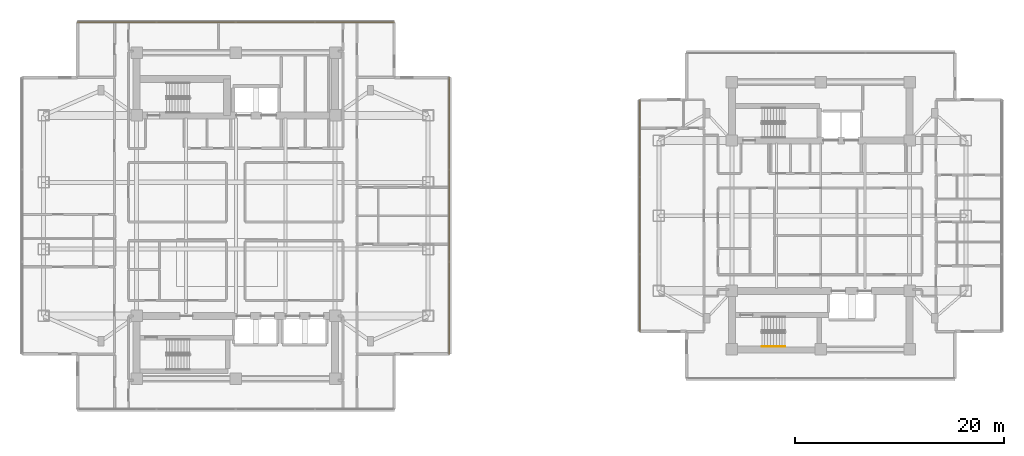
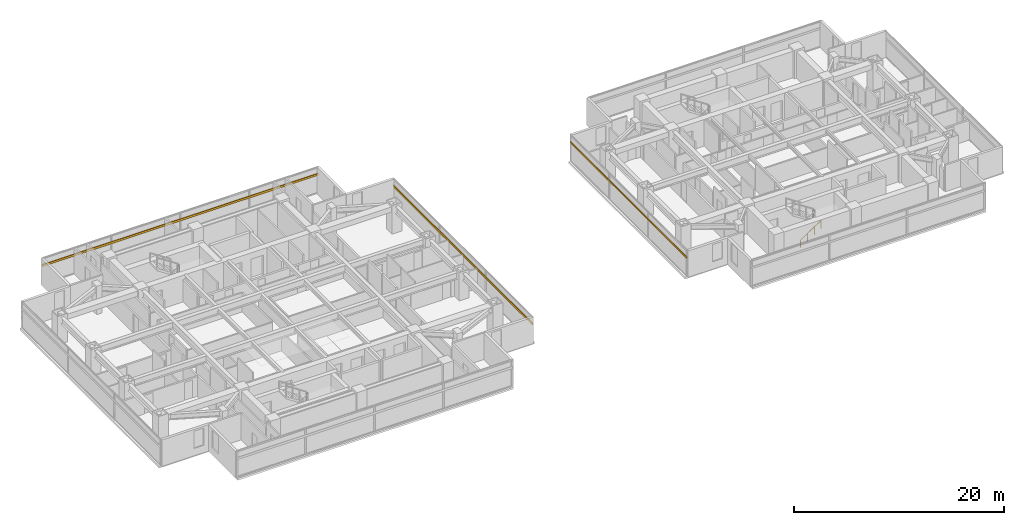
# One storey, part 24 of 27: 3 shading devices, 1 railing.
"""IFC4 building model written with IfcOpenShell, lengths in metres."""

import ifcopenshell
import ifcopenshell.guid

model = None  # the IFC model being written
_history = None  # IfcOwnerHistory: only IFC2X3 demands one
_inside = {}  # id of a spatial element -> (the spatial element, [elements in it])
_under = {}  # id of a project, library or spatial element -> (it, [spatial elements below it])
_declared = {}  # id of a project -> (the project, [libraries it declares])
_typed = {}  # id of a type object -> (the type object, [elements of that type])
_made_of = {}  # id of a material, layer set ... -> (it, [elements and type objects made of it])


def new_model(schema):
    """Start an empty IFC model of exactly this schema.

    Asked for "IFC4X3", IfcOpenShell would pick the latest addendum, in which some entities
    have other attributes; the version numbers below select the first issue.
    IFC2X3 requires an IfcOwnerHistory on every rooted entity: one is made here for all.
    """
    global model, _history
    if schema == "IFC4X3":
        model = ifcopenshell.file(schema_version=(4, 3, 0, 0))
    else:
        model = ifcopenshell.file(schema=schema)
    _inside.clear()
    _under.clear()
    _declared.clear()
    _typed.clear()
    _made_of.clear()
    _history = None
    if model.schema == "IFC2X3":
        org = make("IfcOrganization", Name="unknown")
        user = make(
            "IfcPersonAndOrganization",
            ThePerson=make("IfcPerson", FamilyName="unknown"),
            TheOrganization=org,
        )
        app = make(
            "IfcApplication",
            ApplicationDeveloper=org,
            Version="unknown",
            ApplicationFullName="unknown",
            ApplicationIdentifier="unknown",
        )
        _history = make(
            "IfcOwnerHistory",
            OwningUser=user,
            OwningApplication=app,
            ChangeAction="ADDED",
            CreationDate=0,
        )
    return model


def make(cls, **values):
    """One entity of the class cls with the attributes given. An attribute that is None is left unset."""
    return model.create_entity(
        cls, **{name: value for name, value in values.items() if value is not None}
    )


def rooted(cls, **values):
    """An entity with a GlobalId (a new one), such as an element, a storey or a relation."""
    return make(cls, GlobalId=ifcopenshell.guid.new(), OwnerHistory=_history, **values)


def si_unit(unit_type, name, prefix=None):
    """IfcSIUnit, for example si_unit("LENGTHUNIT", "METRE", prefix="MILLI")."""
    return make("IfcSIUnit", UnitType=unit_type, Prefix=prefix, Name=name)


def assignment(units):
    """IfcUnitAssignment: the units of a project."""
    return None if units is None else make("IfcUnitAssignment", Units=units)


def point(xyz):
    """IfcCartesianPoint."""
    return None if xyz is None else make("IfcCartesianPoint", Coordinates=xyz)


def direction(xyz):
    """IfcDirection."""
    return None if xyz is None else make("IfcDirection", DirectionRatios=xyz)


def frame(location, z_axis=None, x_axis=None):
    """IfcAxis2Placement3D, a coordinate frame: its origin and axes. An axis left out is left unset."""
    return make(
        "IfcAxis2Placement3D",
        Location=point(location),
        Axis=direction(z_axis),
        RefDirection=direction(x_axis),
    )


def frame_2d(location, x_axis=None):
    """IfcAxis2Placement2D, a coordinate frame in the plane: its origin and x axis."""
    return make(
        "IfcAxis2Placement2D", Location=point(location), RefDirection=direction(x_axis)
    )


def origin():
    """The frame at (0, 0, 0) with its axes left unset."""
    return frame((0.0, 0.0, 0.0))


def origin_2d():
    """The frame at (0, 0) in the plane with its x axis left unset."""
    return frame_2d((0.0, 0.0))


def place(relative_to, where):
    """IfcLocalPlacement: puts the frame where relative to a parent placement (None: the world)."""
    return make(
        "IfcLocalPlacement", PlacementRelTo=relative_to, RelativePlacement=where
    )


def context(
    kind, dimensions, precision=None, world=None, true_north=None, identifier=None
):
    """IfcGeometricRepresentationContext, for example the 3D "Model" context."""
    return make(
        "IfcGeometricRepresentationContext",
        ContextIdentifier=identifier,
        ContextType=kind,
        CoordinateSpaceDimension=dimensions,
        Precision=precision,
        WorldCoordinateSystem=world,
        TrueNorth=true_north,
    )


def subcontext(parent, identifier, kind, view, scale=None):
    """IfcGeometricRepresentationSubContext, for example "Body" below "Model"."""
    return make(
        "IfcGeometricRepresentationSubContext",
        ContextIdentifier=identifier,
        ContextType=kind,
        ParentContext=parent,
        TargetScale=scale,
        TargetView=view,
    )


def project(units=None, contexts=None):
    """IfcProject with its units and contexts."""
    return rooted(
        "IfcProject",
        Name="project",
        RepresentationContexts=contexts,
        UnitsInContext=assignment(units),
    )


def spatial(cls, under=None, at=None, **own):
    """A site, building, storey or space (cls), placed at a placement, below another one or the project."""
    s = rooted(cls, ObjectPlacement=at, **own)
    if under is not None:
        _under.setdefault(under.id(), (under, []))[1].append(s)
    return s


def profile(cls, at=None, kind="AREA", **sizes):
    """A parametric profile (cls). Its sizes go by their IFC names, for example OverallWidth=200.0."""
    return make(cls, ProfileType=kind, Position=at, **sizes)


def rectangle(**sizes):
    """IfcRectangleProfileDef."""
    return profile("IfcRectangleProfileDef", **sizes)


def circle(**sizes):
    """IfcCircleProfileDef."""
    return profile("IfcCircleProfileDef", **sizes)


def extrude(swept, where, along, depth):
    """IfcExtrudedAreaSolid: the profile swept, set in the frame where, extruded along a direction by depth."""
    return make(
        "IfcExtrudedAreaSolid",
        SweptArea=swept,
        Position=where,
        ExtrudedDirection=direction(along),
        Depth=depth,
    )


def shape(context_of_items, identifier, shape_type, items):
    """IfcShapeRepresentation: the items that make up one representation, for example the "Body"."""
    return make(
        "IfcShapeRepresentation",
        ContextOfItems=context_of_items,
        RepresentationIdentifier=identifier,
        RepresentationType=shape_type,
        Items=items,
    )


def material(Name=None, Category=None):
    """IfcMaterial."""
    return make("IfcMaterial", Name=Name, Category=Category)


def material_profile(
    of_material, cross_section, Name=None, Category=None, Priority=None
):
    """IfcMaterialProfile: a cross section and its material."""
    return make(
        "IfcMaterialProfile",
        Name=Name,
        Material=of_material,
        Profile=cross_section,
        Priority=Priority,
        Category=Category,
    )


def profile_set(profiles, Name=None, composite=None):
    """IfcMaterialProfileSet."""
    return make(
        "IfcMaterialProfileSet",
        Name=Name,
        MaterialProfiles=profiles,
        CompositeProfile=composite,
    )


def made_of(thing, what):
    """Note that an element or type object is made of a material, layer set ...; save() writes the relation."""
    if what is not None:
        _made_of.setdefault(what.id(), (what, []))[1].append(thing)
    return thing


def type_object(cls, material=None, **own):
    """A type object (cls), such as IfcWallType, which elements share."""
    return made_of(rooted(cls, **own), material)


def element(
    cls,
    number,
    at=None,
    inside=None,
    cuts=None,
    type_object=None,
    material=None,
    context=None,
    identifier="Body",
    shape_type=None,
    held_by="IfcProductDefinitionShape",
    body=None,
    shapes=None,
    **own,
):
    """One element of the class cls, such as IfcWall. Its Tag is "e" and its number.

    at: its placement. inside: the storey or other place that contains it. cuts: it is an
    opening in that element (IfcRelVoidsElement). A single representation is given by context,
    identifier, shape_type and body (its items); several are given by shapes. held_by: the class
    of the entity that holds the representations. save() writes the other relations.
    """
    e = rooted(cls, Tag="e%d" % number, ObjectPlacement=at, **own)
    if body is not None:
        shapes = [shape(context, identifier, shape_type, body)]
    if shapes is not None:
        e.Representation = make(held_by, Representations=shapes)
    if inside is not None:
        _inside.setdefault(inside.id(), (inside, []))[1].append(e)
    if cuts is not None:
        rooted(
            "IfcRelVoidsElement", RelatingBuildingElement=cuts, RelatedOpeningElement=e
        )
    if type_object is not None:
        _typed.setdefault(type_object.id(), (type_object, []))[1].append(e)
    return made_of(e, material)


def aggregate(whole, parts):
    """IfcRelAggregates: a whole, such as a stair, and the parts it consists of."""
    return rooted("IfcRelAggregates", RelatingObject=whole, RelatedObjects=parts)


def save(model, path):
    """Write the relations noted so far, then the file.

    IfcRelAggregates (storeys below a building ...), IfcRelContainedInSpatialStructure (elements
    in a storey), IfcRelDefinesByType, IfcRelAssociatesMaterial and IfcRelDeclares: one each for
    every whole, place, type object, material and project.
    """
    for whole, parts in _under.values():
        aggregate(whole, parts)
    for where, things in _inside.values():
        rooted(
            "IfcRelContainedInSpatialStructure",
            RelatedElements=things,
            RelatingStructure=where,
        )
    for kind, things in _typed.values():
        rooted("IfcRelDefinesByType", RelatedObjects=things, RelatingType=kind)
    for what, things in _made_of.values():
        rooted("IfcRelAssociatesMaterial", RelatedObjects=things, RelatingMaterial=what)
    for by, libraries in _declared.values():
        rooted("IfcRelDeclares", RelatingContext=by, RelatedDefinitions=libraries)
    model.write(path)


model = new_model("IFC4")

# Units and contexts
model_context = context("Model", 3, precision=1e-05, world=origin(), true_north=direction((0.0, 1.0)))
body_context = subcontext(model_context, "Body", "Model", "MODEL_VIEW")
ifc_project = project(units=[si_unit("LENGTHUNIT", "METRE"), si_unit("AREAUNIT", "SQUARE_METRE"), si_unit("VOLUMEUNIT", "CUBIC_METRE"), si_unit("PLANEANGLEUNIT", "RADIAN"), si_unit("MASSUNIT", "GRAM", prefix="KILO")], contexts=[model_context])

# Site, building, storey
site_placement = place(None, origin())
site = spatial("IfcSite", under=ifc_project, at=site_placement, CompositionType="ELEMENT")
building_placement = place(site_placement, origin())
building = spatial("IfcBuilding", under=site, at=building_placement, Name="Mirazonda Arch Towers", CompositionType="ELEMENT")
storey_placement = place(building_placement, frame((0.0, 0.0, 124.699951171875)))
storey = spatial("IfcBuildingStorey", under=building, at=storey_placement, Name="L35", CompositionType="ELEMENT", Elevation=124.699951171875)

# Shading devices
ifc_material_1 = material(Name="Kiln-Fired Architectural Terracotta", Category="masonry")
ifc_material_profile_1 = material_profile(ifc_material_1, rectangle(XDim=0.1201171875, YDim=0.239990234375, at=origin_2d()), Name="TERRA-BAG-120x240")
ifc_profile_set_1 = profile_set([ifc_material_profile_1], Name="Kiln-Fired Architectural Terracotta")
shading_device_type_1 = type_object("IfcShadingDeviceType", Name="BAGUETTE-1", PredefinedType="USERDEFINED", material=ifc_profile_set_1)
shading_device_1_placement = place(storey_placement, frame((40.93994140625, 14.75390625, 2.203369140625), z_axis=(0.0, 1.0, 0.0), x_axis=(-1.0, 0.0, 0.0)))
element("IfcShadingDevice", 1, at=shading_device_1_placement, inside=storey, type_object=shading_device_type_1, Name="L35 Glazed Terracotta Sun-Screen Baguette CW-L35-T1-E", ObjectType="BAGUETTE", PredefinedType="USERDEFINED", context=body_context, shape_type="SweptSolid", body=[
    extrude(rectangle(XDim=0.1201171875, YDim=0.239990234375, at=origin_2d()), origin(), (0.0, 0.0, 1.0), 26.4921875),
])
shading_device_2_placement = place(storey_placement, frame((5.330078125, 46.51611328125, 2.203369140625), z_axis=(1.0, 0.0, 0.0), x_axis=(0.0, 1.0, 0.0)))
element("IfcShadingDevice", 2, at=shading_device_2_placement, inside=storey, type_object=shading_device_type_1, Name="L35 Glazed Terracotta Sun-Screen Baguette CW-L35-T1-N", ObjectType="BAGUETTE", PredefinedType="USERDEFINED", context=body_context, shape_type="SweptSolid", body=[
    extrude(rectangle(XDim=0.1201171875, YDim=0.239990234375, at=origin_2d()), origin(), (0.0, 0.0, 1.0), 30.33984375),
])
ifc_material_profile_2 = material_profile(ifc_material_1, rectangle(XDim=0.10009765625, YDim=0.199951171875, at=origin_2d()), Name="TERRA-BAG-100x200")
ifc_profile_set_2 = profile_set([ifc_material_profile_2], Name="Kiln-Fired Architectural Terracotta")
shading_device_type_2 = type_object("IfcShadingDeviceType", Name="BAGUETTE-2", PredefinedType="USERDEFINED", material=ifc_profile_set_2)
shading_device_3_placement = place(storey_placement, frame((59.178955078125, 39.09912109375, 2.203369140625), z_axis=(0.0, -1.0, 0.0), x_axis=(1.0, 0.0, 0.0)))
element("IfcShadingDevice", 3, at=shading_device_3_placement, inside=storey, type_object=shading_device_type_2, Name="L35 Glazed Terracotta Sun-Screen Baguette CW-L35-T2-W", ObjectType="BAGUETTE", PredefinedType="USERDEFINED", context=body_context, shape_type="SweptSolid", body=[
    extrude(rectangle(XDim=0.10009765625, YDim=0.199951171875, at=origin_2d()), origin(), (0.0, 0.0, 1.0), 22.1982421875),
])

# Railing
ifc_material_2 = material(Name="Architectural Brushed Steel S355", Category="steel")
railing_type = type_object("IfcRailingType", Name="HANDRAIL-915", PredefinedType="HANDRAIL", material=ifc_material_2)
railing_placement = place(storey_placement, frame((70.85009765625, 15.469970703125, 0.183349609375)))
element("IfcRailing", 4, at=railing_placement, inside=storey, type_object=railing_type, Name="L35 ST-T2S stair handrail 1", PredefinedType="HANDRAIL", context=body_context, shape_type="SweptSolid", body=[
    extrude(circle(Radius=0.02392578125, at=origin_2d()), frame((0.0, 0.0, 0.8759765625), z_axis=(0.836595146698, 0.0, 0.547821650285), x_axis=(0.0, 1.0, 0.0)), (0.0, 0.0, 1.0), 2.677490234375),
    extrude(circle(Radius=0.02099609375, at=origin_2d()), origin(), (0.0, 0.0, 1.0), 0.851806640625),
    extrude(circle(Radius=0.02099609375, at=origin_2d()), frame((0.74658203125, 0.0, 0.489013671875)), (0.0, 0.0, 1.0), 0.851806640625),
    extrude(circle(Radius=0.02099609375, at=origin_2d()), frame((1.493408203125, 0.0, 0.977783203125)), (0.0, 0.0, 1.0), 0.851806640625),
    extrude(circle(Radius=0.02099609375, at=origin_2d()), frame((2.239990234375, 0.0, 1.466796875)), (0.0, 0.0, 1.0), 0.851806640625),
])

save(model, "model.ifc")
